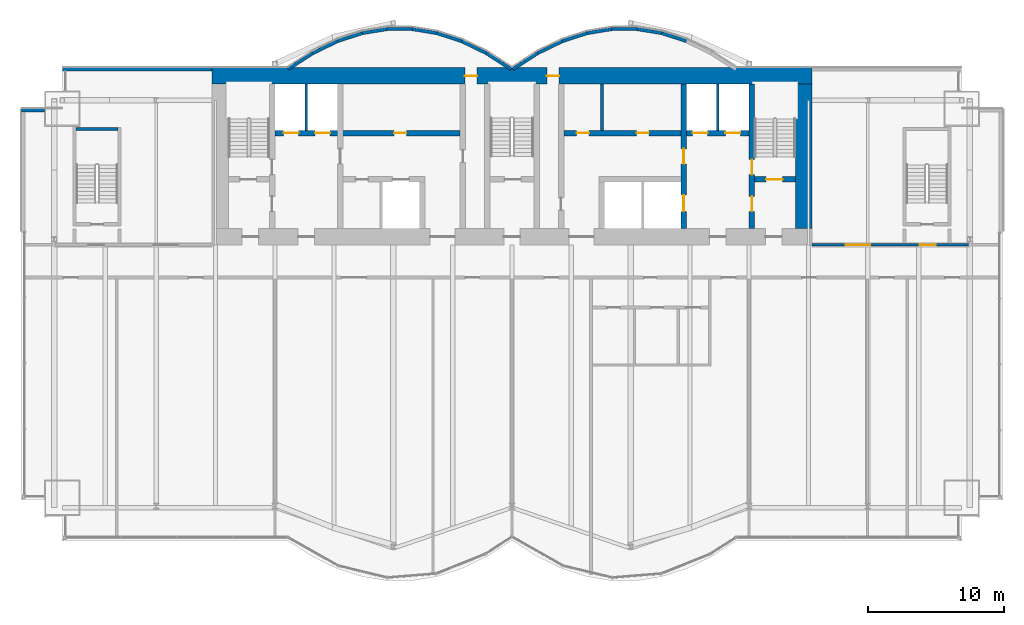
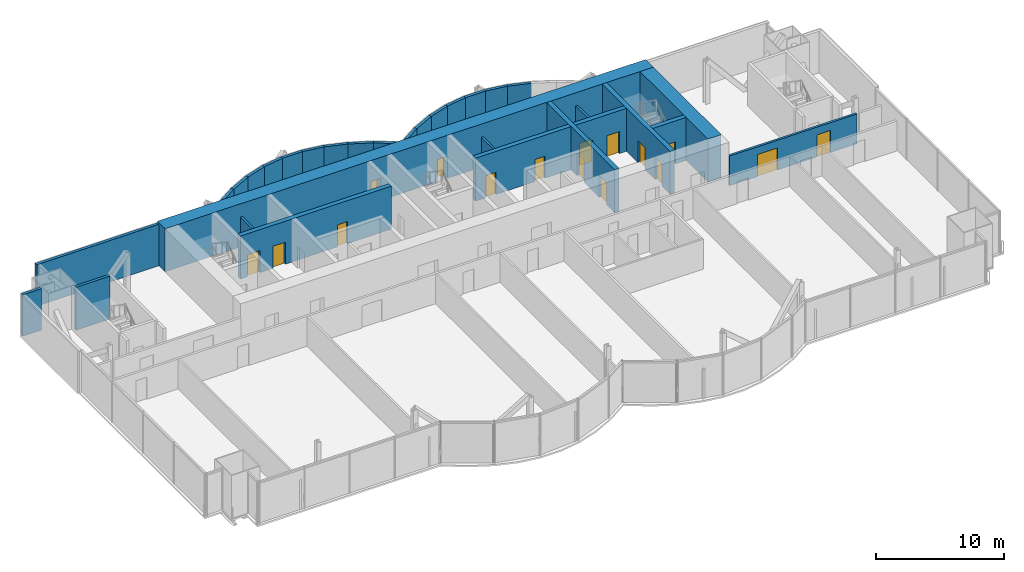
# One storey, part 17 of 21: 30 walls, 16 doors, 16 openings.
"""IFC4 building model written with IfcOpenShell, lengths in metres."""

from ifc_helpers import new_model, si_unit, direction, frame, frame_2d, origin, place, context, subcontext, project, spatial, rectangle, extrude, material, layer, layer_set, layer_usage, type_object, element, fill, save


model = new_model("IFC4")

# Units and contexts
model_context = context("Model", 3, precision=1e-05, world=origin(), true_north=direction((0.0, 1.0)))
body_context = subcontext(model_context, "Body", "Model", "MODEL_VIEW")
ifc_project = project(units=[si_unit("LENGTHUNIT", "METRE"), si_unit("AREAUNIT", "SQUARE_METRE"), si_unit("VOLUMEUNIT", "CUBIC_METRE"), si_unit("PLANEANGLEUNIT", "RADIAN"), si_unit("MASSUNIT", "GRAM", prefix="KILO")], contexts=[model_context])

# Site, building, storey
site_placement = place(None, origin())
site = spatial("IfcSite", under=ifc_project, at=site_placement, CompositionType="ELEMENT")
building_placement = place(site_placement, origin())
building = spatial("IfcBuilding", under=site, at=building_placement, Name="Bicima Exchange Tower", CompositionType="ELEMENT")
storey_placement = place(building_placement, frame((0.0, 0.0, 165.0)))
storey = spatial("IfcBuildingStorey", under=building, at=storey_placement, Name="L36", CompositionType="ELEMENT", Elevation=165.0)

# Walls
ifc_material_1 = material(Name="Gypsum board partition")
ifc_layer_1 = layer(ifc_material_1, 0.199951171875)
ifc_layer_set_1 = layer_set([ifc_layer_1], Name="Gypsum board partition")
wall_type_1 = type_object("IfcWallType", Name="Fire-rated gypsum partition 200 EI120", PredefinedType="PARTITIONING", material=ifc_layer_set_1)
for number, where, z_axis, x_axis, name in (
    (1, (-15.10009765625, -4.60009765625, 0.0), (0.0, 0.0, 1.0), (0.0, 1.0, 0.0), "partition wall 9"),
    (2, (15.10009765625, -4.60009765625, 0.0), (0.0, 0.0, 1.0), (0.0, 1.0, 0.0), "partition wall 21"),
):
    element("IfcWall", number, at=place(storey_placement, frame(where, z_axis=z_axis, x_axis=x_axis)), inside=storey, type_object=wall_type_1, Name=name, PredefinedType="PARTITIONING", context=body_context, shape_type="SweptSolid", body=[
        extrude(rectangle(XDim=3.400146484375, YDim=0.199951171875, at=frame_2d((1.7001953125, 0.0))), origin(), (0.0, 0.0, 1.0), 2.84033203125),
    ])

# Wall, openings, doors
ifc_layer_2 = layer(ifc_material_1, 0.199951171875)
ifc_layer_set_2 = layer_set([ifc_layer_2], Name="Gypsum board partition")
wall_type_2 = type_object("IfcWallType", Name="Fire-rated gypsum partition 200 EI60", PredefinedType="PARTITIONING", material=ifc_layer_set_2)
wall_1_placement = place(storey_placement, frame((22.0, -13.0, 0.0), z_axis=(0.0, 0.0, 1.0), x_axis=(1.0, 0.0, 0.0)))
wall_1 = element("IfcWall", 3, at=wall_1_placement, inside=storey, type_object=wall_type_2, Name="partition wall 6", PredefinedType="PARTITIONING", context=body_context, shape_type="SweptSolid", body=[
    extrude(rectangle(XDim=11.47998046875, YDim=0.199951171875, at=frame_2d((5.739990234375, 0.0))), origin(), (0.0, 0.0, 1.0), 2.84033203125),
])
opening_1_placement = place(wall_1_placement, frame((7.89990234375, 0.0, 0.0)))
opening_1 = element("IfcOpeningElement", 4, at=opening_1_placement, cuts=wall_1, Name="Opening L36-003", PredefinedType="OPENING", context=body_context, shape_type="SweptSolid", body=[
    extrude(rectangle(XDim=1.199951171875, YDim=2.10009765625, at=frame_2d((0.60009765625, 1.050048828125))), frame((0.0, 0.11181640625, 0.0), z_axis=(0.0, -1.0, 0.0), x_axis=(1.0, 0.0, 0.0)), (0.0, 0.0, 1.0), 0.223876953125),
])
opening_2_placement = place(wall_1_placement, frame((2.5, 0.0, 0.0)))
opening_2 = element("IfcOpeningElement", 5, at=opening_2_placement, cuts=wall_1, Name="Opening L36-006", PredefinedType="OPENING", context=body_context, shape_type="SweptSolid", body=[
    extrude(rectangle(XDim=1.800048828125, YDim=2.10009765625, at=frame_2d((0.89990234375, 1.050048828125))), frame((0.0, 0.11181640625, 0.0), z_axis=(0.0, -1.0, 0.0), x_axis=(1.0, 0.0, 0.0)), (0.0, 0.0, 1.0), 0.223876953125),
])
ifc_material_2 = material(Name="Steel fire door leaf", Category="steel")
door_type_1 = type_object("IfcDoorType", Name="Door 1200 swing FD30S", OperationType="SINGLE_SWING_LEFT", PredefinedType="DOOR", material=ifc_material_2)
door_1_placement = place(opening_1_placement, origin())
door_1 = element("IfcDoor", 6, at=door_1_placement, inside=storey, type_object=door_type_1, Name="Door", OperationType="SINGLE_SWING_RIGHT", OverallHeight=2.10009765625, OverallWidth=1.199951171875, PredefinedType="DOOR", context=body_context, shape_type="SweptSolid", body=[
    extrude(rectangle(XDim=1.199951171875, YDim=2.10009765625, at=frame_2d((0.60009765625, 1.050048828125))), frame((0.0, 0.02490234375, 0.0), z_axis=(0.0, -1.0, 0.0), x_axis=(1.0, 0.0, 0.0)), (0.0, 0.0, 1.0), 0.050048828125),
])
fill(opening_1, door_1)
door_type_2 = type_object("IfcDoorType", Name="Door 1800 double swing FD30S", OperationType="DOUBLE_DOOR_SINGLE_SWING", PredefinedType="DOOR", material=ifc_material_2)
door_2_placement = place(opening_2_placement, origin())
door_2 = element("IfcDoor", 7, at=door_2_placement, inside=storey, type_object=door_type_2, Name="Door", OperationType="SINGLE_SWING_LEFT", OverallHeight=2.10009765625, OverallWidth=1.800048828125, PredefinedType="DOOR", context=body_context, shape_type="SweptSolid", body=[
    extrude(rectangle(XDim=1.800048828125, YDim=2.10009765625, at=frame_2d((0.89990234375, 1.050048828125))), frame((0.0, 0.02490234375, 0.0), z_axis=(0.0, -1.0, 0.0), x_axis=(1.0, 0.0, 0.0)), (0.0, 0.0, 1.0), 0.050048828125),
])
fill(opening_2, door_2)

# Wall
wall_2_placement = place(storey_placement, frame((6.60009765625, -4.60009765625, 0.0), z_axis=(0.0, 0.0, 1.0), x_axis=(0.0, 1.0, 0.0)))
element("IfcWall", 8, at=wall_2_placement, inside=storey, type_object=wall_type_2, Name="partition wall 18", PredefinedType="PARTITIONING", context=body_context, shape_type="SweptSolid", body=[
    extrude(rectangle(XDim=3.400146484375, YDim=0.199951171875, at=frame_2d((1.7001953125, 0.0))), origin(), (0.0, 0.0, 1.0), 2.84033203125),
])

# Wall, openings, doors
ifc_material_3 = material(Name="Concrete C50/60", Category="concrete")
ifc_layer_3 = layer(ifc_material_3, 1.199951171875)
ifc_layer_set_3 = layer_set([ifc_layer_3], Name="Concrete C50/60")
wall_type_3 = type_object("IfcWallType", Name="RC core wall 1200 C50/60", PredefinedType="SHEAR", material=ifc_layer_set_3)
wall_3_placement = place(storey_placement, frame((-22.0, -0.60009765625, 0.0), z_axis=(0.0, 0.0, 1.0), x_axis=(1.0, 0.0, 0.0)))
wall_3 = element("IfcWall", 9, at=wall_3_placement, inside=storey, type_object=wall_type_3, Name="Core wall north", PredefinedType="SHEAR", context=body_context, shape_type="SweptSolid", body=[
    extrude(rectangle(XDim=44.0, YDim=1.199951171875, at=frame_2d((22.0, 0.0))), origin(), (0.0, 0.0, 1.0), 4.10009765625),
])
opening_3_placement = place(wall_3_placement, frame((18.550048828125, 0.0, 0.0)))
opening_3 = element("IfcOpeningElement", 10, at=opening_3_placement, cuts=wall_3, Name="Opening L36-C16", PredefinedType="OPENING", context=body_context, shape_type="SweptSolid", body=[
    extrude(rectangle(XDim=0.89990234375, YDim=2.10009765625, at=frame_2d((0.449951171875, 1.050048828125))), frame((0.0, 0.61181640625, 0.0), z_axis=(0.0, -1.0, 0.0), x_axis=(1.0, 0.0, 0.0)), (0.0, 0.0, 1.0), 1.223876953125),
])
opening_4_placement = place(wall_3_placement, frame((24.550048828125, 0.0, 0.0)))
opening_4 = element("IfcOpeningElement", 11, at=opening_4_placement, cuts=wall_3, Name="Opening L36-C17", PredefinedType="OPENING", context=body_context, shape_type="SweptSolid", body=[
    extrude(rectangle(XDim=0.89990234375, YDim=2.10009765625, at=frame_2d((0.449951171875, 1.050048828125))), frame((0.0, 0.61181640625, 0.0), z_axis=(0.0, -1.0, 0.0), x_axis=(1.0, 0.0, 0.0)), (0.0, 0.0, 1.0), 1.223876953125),
])
door_type_3 = type_object("IfcDoorType", Name="Door 900 swing FD30S", OperationType="SINGLE_SWING_LEFT", PredefinedType="DOOR", material=ifc_material_2)
door_3_placement = place(opening_3_placement, origin())
door_3 = element("IfcDoor", 12, at=door_3_placement, inside=storey, type_object=door_type_3, Name="Core door", OperationType="SINGLE_SWING_LEFT", OverallHeight=2.10009765625, OverallWidth=0.89990234375, PredefinedType="DOOR", context=body_context, shape_type="SweptSolid", body=[
    extrude(rectangle(XDim=0.89990234375, YDim=2.10009765625, at=frame_2d((0.449951171875, 1.050048828125))), frame((0.0, 0.02490234375, 0.0), z_axis=(0.0, -1.0, 0.0), x_axis=(1.0, 0.0, 0.0)), (0.0, 0.0, 1.0), 0.050048828125),
])
fill(opening_3, door_3)
door_4_placement = place(opening_4_placement, origin())
door_4 = element("IfcDoor", 13, at=door_4_placement, inside=storey, type_object=door_type_3, Name="Core door", OperationType="SINGLE_SWING_LEFT", OverallHeight=2.10009765625, OverallWidth=0.89990234375, PredefinedType="DOOR", context=body_context, shape_type="SweptSolid", body=[
    extrude(rectangle(XDim=0.89990234375, YDim=2.10009765625, at=frame_2d((0.449951171875, 1.050048828125))), frame((0.0, 0.02490234375, 0.0), z_axis=(0.0, -1.0, 0.0), x_axis=(1.0, 0.0, 0.0)), (0.0, 0.0, 1.0), 0.050048828125),
])
fill(opening_4, door_4)

# Wall
wall_4_placement = place(storey_placement, frame((21.39990234375, -11.800048828125, 0.0), z_axis=(0.0, 0.0, 1.0), x_axis=(0.0, 1.0, 0.0)))
element("IfcWall", 14, at=wall_4_placement, inside=storey, type_object=wall_type_3, Name="Core wall east", PredefinedType="SHEAR", context=body_context, shape_type="SweptSolid", body=[
    extrude(rectangle(XDim=10.60009765625, YDim=1.199951171875, at=frame_2d((5.300048828125, 0.0))), origin(), (0.0, 0.0, 1.0), 4.10009765625),
])

# Wall, opening, door
ifc_layer_4 = layer(ifc_material_3, 0.39990234375)
ifc_layer_set_4 = layer_set([ifc_layer_4], Name="Concrete C50/60")
wall_type_4 = type_object("IfcWallType", Name="RC core wall 400 C50/60", PredefinedType="SHEAR", material=ifc_layer_set_4)
wall_5_placement = place(storey_placement, frame((17.800048828125, -8.199951171875, 0.0), z_axis=(0.0, 0.0, 1.0), x_axis=(1.0, 0.0, 0.0)))
wall_5 = element("IfcWall", 15, at=wall_5_placement, inside=storey, type_object=wall_type_4, Name="stair wall 5", PredefinedType="SHEAR", context=body_context, shape_type="SweptSolid", body=[
    extrude(rectangle(XDim=3.0, YDim=0.39990234375, at=frame_2d((1.5, 0.0))), origin(), (0.0, 0.0, 1.0), 4.10009765625),
])
opening_5_placement = place(wall_5_placement, frame((0.85009765625, 0.0, 0.0)))
opening_5 = element("IfcOpeningElement", 16, at=opening_5_placement, cuts=wall_5, Name="Opening L36-C04", PredefinedType="OPENING", context=body_context, shape_type="SweptSolid", body=[
    extrude(rectangle(XDim=1.199951171875, YDim=2.10009765625, at=frame_2d((0.60009765625, 1.050048828125))), frame((0.0, 0.2119140625, 0.0), z_axis=(0.0, -1.0, 0.0), x_axis=(1.0, 0.0, 0.0)), (0.0, 0.0, 1.0), 0.423828125),
])
door_type_4 = type_object("IfcDoorType", Name="Door 1200 swing FD60S", OperationType="SINGLE_SWING_LEFT", PredefinedType="DOOR", material=ifc_material_2)
door_5_placement = place(opening_5_placement, origin())
door_5 = element("IfcDoor", 17, at=door_5_placement, inside=storey, type_object=door_type_4, Name="Core door", OperationType="SINGLE_SWING_RIGHT", OverallHeight=2.10009765625, OverallWidth=1.199951171875, PredefinedType="DOOR", context=body_context, shape_type="SweptSolid", body=[
    extrude(rectangle(XDim=1.199951171875, YDim=2.10009765625, at=frame_2d((0.60009765625, 1.050048828125))), frame((0.0, 0.02490234375, 0.0), z_axis=(0.0, -1.0, 0.0), x_axis=(1.0, 0.0, 0.0)), (0.0, 0.0, 1.0), 0.050048828125),
])
fill(opening_5, door_5)

# Wall, openings, doors
wall_6_placement = place(storey_placement, frame((-17.39990234375, -4.800048828125, 0.0), z_axis=(0.0, 0.0, 1.0), x_axis=(1.0, 0.0, 0.0)))
wall_6 = element("IfcWall", 18, at=wall_6_placement, inside=storey, type_object=wall_type_4, Name="shear wall 6", PredefinedType="SHEAR", context=body_context, shape_type="SweptSolid", body=[
    extrude(rectangle(XDim=13.599853515625, YDim=0.39990234375, at=frame_2d((6.7998046875, 0.0))), origin(), (0.0, 0.0, 1.0), 4.10009765625),
])
opening_6_placement = place(wall_6_placement, frame((0.64990234375, 0.0, 0.0)))
opening_6 = element("IfcOpeningElement", 19, at=opening_6_placement, cuts=wall_6, Name="Opening LD-FF1-L36", PredefinedType="OPENING", context=body_context, shape_type="SweptSolid", body=[
    extrude(rectangle(XDim=1.10009765625, YDim=2.10009765625, at=frame_2d((0.550048828125, 1.050048828125))), frame((0.0, 0.2119140625, 0.0), z_axis=(0.0, -1.0, 0.0), x_axis=(1.0, 0.0, 0.0)), (0.0, 0.0, 1.0), 0.423828125),
])
opening_7_placement = place(wall_6_placement, frame((2.949951171875, 0.0, 0.0)))
opening_7 = element("IfcOpeningElement", 20, at=opening_7_placement, cuts=wall_6, Name="Opening LD-FF3-L36", PredefinedType="OPENING", context=body_context, shape_type="SweptSolid", body=[
    extrude(rectangle(XDim=1.10009765625, YDim=2.10009765625, at=frame_2d((0.550048828125, 1.050048828125))), frame((0.0, 0.2119140625, 0.0), z_axis=(0.0, -1.0, 0.0), x_axis=(1.0, 0.0, 0.0)), (0.0, 0.0, 1.0), 0.423828125),
])
opening_8_placement = place(wall_6_placement, frame((8.75, 0.0, 0.0)))
opening_8 = element("IfcOpeningElement", 21, at=opening_8_placement, cuts=wall_6, Name="Opening L36-C12", PredefinedType="OPENING", context=body_context, shape_type="SweptSolid", body=[
    extrude(rectangle(XDim=0.89990234375, YDim=2.10009765625, at=frame_2d((0.449951171875, 1.050048828125))), frame((0.0, 0.2119140625, 0.0), z_axis=(0.0, -1.0, 0.0), x_axis=(1.0, 0.0, 0.0)), (0.0, 0.0, 1.0), 0.423828125),
])
door_6_placement = place(opening_8_placement, origin())
door_6 = element("IfcDoor", 22, at=door_6_placement, inside=storey, type_object=door_type_3, Name="Core door", OperationType="SINGLE_SWING_RIGHT", OverallHeight=2.10009765625, OverallWidth=0.89990234375, PredefinedType="DOOR", context=body_context, shape_type="SweptSolid", body=[
    extrude(rectangle(XDim=0.89990234375, YDim=2.10009765625, at=frame_2d((0.449951171875, 1.050048828125))), frame((0.0, 0.02490234375, 0.0), z_axis=(0.0, -1.0, 0.0), x_axis=(1.0, 0.0, 0.0)), (0.0, 0.0, 1.0), 0.050048828125),
])
fill(opening_8, door_6)
ifc_material_4 = material(Name="Stainless steel", Category="steel")
door_type_5 = type_object("IfcDoorType", Name="Lift landing door 1100 sliding", OperationType="DOUBLE_DOOR_SLIDING", PredefinedType="DOOR", material=ifc_material_4)
door_7_placement = place(opening_6_placement, origin())
door_7 = element("IfcDoor", 23, at=door_7_placement, inside=storey, type_object=door_type_5, Name="Lift landing door FF1", OperationType="DOUBLE_DOOR_SLIDING", OverallHeight=2.10009765625, OverallWidth=1.10009765625, PredefinedType="DOOR", context=body_context, shape_type="SweptSolid", body=[
    extrude(rectangle(XDim=1.10009765625, YDim=2.10009765625, at=frame_2d((0.550048828125, 1.050048828125))), frame((0.0, 0.02490234375, 0.0), z_axis=(0.0, -1.0, 0.0), x_axis=(1.0, 0.0, 0.0)), (0.0, 0.0, 1.0), 0.050048828125),
])
fill(opening_6, door_7)
door_8_placement = place(opening_7_placement, origin())
door_8 = element("IfcDoor", 24, at=door_8_placement, inside=storey, type_object=door_type_5, Name="Lift landing door FF3", OperationType="DOUBLE_DOOR_SLIDING", OverallHeight=2.10009765625, OverallWidth=1.10009765625, PredefinedType="DOOR", context=body_context, shape_type="SweptSolid", body=[
    extrude(rectangle(XDim=1.10009765625, YDim=2.10009765625, at=frame_2d((0.550048828125, 1.050048828125))), frame((0.0, 0.02490234375, 0.0), z_axis=(0.0, -1.0, 0.0), x_axis=(1.0, 0.0, 0.0)), (0.0, 0.0, 1.0), 0.050048828125),
])
fill(opening_7, door_8)

wall_7_placement = place(storey_placement, frame((3.800048828125, -4.800048828125, 0.0), z_axis=(0.0, 0.0, 1.0), x_axis=(1.0, 0.0, 0.0)))
wall_7 = element("IfcWall", 25, at=wall_7_placement, inside=storey, type_object=wall_type_4, Name="shear wall 7", PredefinedType="SHEAR", context=body_context, shape_type="SweptSolid", body=[
    extrude(rectangle(XDim=13.599853515625, YDim=0.39990234375, at=frame_2d((6.7998046875, 0.0))), origin(), (0.0, 0.0, 1.0), 4.10009765625),
])
opening_9_placement = place(wall_7_placement, frame((9.449951171875, 0.0, 0.0)))
opening_9 = element("IfcOpeningElement", 26, at=opening_9_placement, cuts=wall_7, Name="Opening LD-FF2-L36", PredefinedType="OPENING", context=body_context, shape_type="SweptSolid", body=[
    extrude(rectangle(XDim=1.10009765625, YDim=2.10009765625, at=frame_2d((0.550048828125, 1.050048828125))), frame((0.0, 0.2119140625, 0.0), z_axis=(0.0, -1.0, 0.0), x_axis=(1.0, 0.0, 0.0)), (0.0, 0.0, 1.0), 0.423828125),
])
opening_10_placement = place(wall_7_placement, frame((11.85009765625, 0.0, 0.0)))
opening_10 = element("IfcOpeningElement", 27, at=opening_10_placement, cuts=wall_7, Name="Opening LD-SV1-L36", PredefinedType="OPENING", context=body_context, shape_type="SweptSolid", body=[
    extrude(rectangle(XDim=1.10009765625, YDim=2.10009765625, at=frame_2d((0.550048828125, 1.050048828125))), frame((0.0, 0.2119140625, 0.0), z_axis=(0.0, -1.0, 0.0), x_axis=(1.0, 0.0, 0.0)), (0.0, 0.0, 1.0), 0.423828125),
])
opening_11_placement = place(wall_7_placement, frame((0.949951171875, 0.0, 0.0)))
opening_11 = element("IfcOpeningElement", 28, at=opening_11_placement, cuts=wall_7, Name="Opening L36-C13", PredefinedType="OPENING", context=body_context, shape_type="SweptSolid", body=[
    extrude(rectangle(XDim=0.89990234375, YDim=2.10009765625, at=frame_2d((0.449951171875, 1.050048828125))), frame((0.0, 0.2119140625, 0.0), z_axis=(0.0, -1.0, 0.0), x_axis=(1.0, 0.0, 0.0)), (0.0, 0.0, 1.0), 0.423828125),
])
opening_12_placement = place(wall_7_placement, frame((5.35009765625, 0.0, 0.0)))
opening_12 = element("IfcOpeningElement", 29, at=opening_12_placement, cuts=wall_7, Name="Opening L36-C14", PredefinedType="OPENING", context=body_context, shape_type="SweptSolid", body=[
    extrude(rectangle(XDim=0.89990234375, YDim=2.10009765625, at=frame_2d((0.449951171875, 1.050048828125))), frame((0.0, 0.2119140625, 0.0), z_axis=(0.0, -1.0, 0.0), x_axis=(1.0, 0.0, 0.0)), (0.0, 0.0, 1.0), 0.423828125),
])
door_9_placement = place(opening_11_placement, origin())
door_9 = element("IfcDoor", 30, at=door_9_placement, inside=storey, type_object=door_type_3, Name="Core door", OperationType="SINGLE_SWING_LEFT", OverallHeight=2.10009765625, OverallWidth=0.89990234375, PredefinedType="DOOR", context=body_context, shape_type="SweptSolid", body=[
    extrude(rectangle(XDim=0.89990234375, YDim=2.10009765625, at=frame_2d((0.449951171875, 1.050048828125))), frame((0.0, 0.02490234375, 0.0), z_axis=(0.0, -1.0, 0.0), x_axis=(1.0, 0.0, 0.0)), (0.0, 0.0, 1.0), 0.050048828125),
])
fill(opening_11, door_9)
door_10_placement = place(opening_12_placement, origin())
door_10 = element("IfcDoor", 31, at=door_10_placement, inside=storey, type_object=door_type_3, Name="Core door", OperationType="SINGLE_SWING_RIGHT", OverallHeight=2.10009765625, OverallWidth=0.89990234375, PredefinedType="DOOR", context=body_context, shape_type="SweptSolid", body=[
    extrude(rectangle(XDim=0.89990234375, YDim=2.10009765625, at=frame_2d((0.449951171875, 1.050048828125))), frame((0.0, 0.02490234375, 0.0), z_axis=(0.0, -1.0, 0.0), x_axis=(1.0, 0.0, 0.0)), (0.0, 0.0, 1.0), 0.050048828125),
])
fill(opening_12, door_10)
door_11_placement = place(opening_9_placement, origin())
door_11 = element("IfcDoor", 32, at=door_11_placement, inside=storey, type_object=door_type_5, Name="Lift landing door FF2", OperationType="DOUBLE_DOOR_SLIDING", OverallHeight=2.10009765625, OverallWidth=1.10009765625, PredefinedType="DOOR", context=body_context, shape_type="SweptSolid", body=[
    extrude(rectangle(XDim=1.10009765625, YDim=2.10009765625, at=frame_2d((0.550048828125, 1.050048828125))), frame((0.0, 0.02490234375, 0.0), z_axis=(0.0, -1.0, 0.0), x_axis=(1.0, 0.0, 0.0)), (0.0, 0.0, 1.0), 0.050048828125),
])
fill(opening_9, door_11)
door_12_placement = place(opening_10_placement, origin())
door_12 = element("IfcDoor", 33, at=door_12_placement, inside=storey, type_object=door_type_5, Name="Lift landing door SV1", OperationType="DOUBLE_DOOR_SLIDING", OverallHeight=2.10009765625, OverallWidth=1.10009765625, PredefinedType="DOOR", context=body_context, shape_type="SweptSolid", body=[
    extrude(rectangle(XDim=1.10009765625, YDim=2.10009765625, at=frame_2d((0.550048828125, 1.050048828125))), frame((0.0, 0.02490234375, 0.0), z_axis=(0.0, -1.0, 0.0), x_axis=(1.0, 0.0, 0.0)), (0.0, 0.0, 1.0), 0.050048828125),
])
fill(opening_10, door_12)

wall_8_placement = place(storey_placement, frame((12.60009765625, -11.800048828125, 0.0), z_axis=(0.0, 0.0, 1.0), x_axis=(0.0, 1.0, 0.0)))
wall_8 = element("IfcWall", 34, at=wall_8_placement, inside=storey, type_object=wall_type_4, Name="shear wall 20", PredefinedType="SHEAR", context=body_context, shape_type="SweptSolid", body=[
    extrude(rectangle(XDim=10.60009765625, YDim=0.39990234375, at=frame_2d((5.300048828125, 0.0))), origin(), (0.0, 0.0, 1.0), 4.10009765625),
])
opening_13_placement = place(wall_8_placement, frame((1.25, 0.0, 0.0)))
opening_13 = element("IfcOpeningElement", 35, at=opening_13_placement, cuts=wall_8, Name="Opening LD-MB2-L36", PredefinedType="OPENING", context=body_context, shape_type="SweptSolid", body=[
    extrude(rectangle(XDim=1.199951171875, YDim=2.10009765625, at=frame_2d((0.60009765625, 1.050048828125))), frame((0.0, 0.2119140625, 0.0), z_axis=(0.0, -1.0, 0.0), x_axis=(1.0, 0.0, 0.0)), (0.0, 0.0, 1.0), 0.423828125),
])
opening_14_placement = place(wall_8_placement, frame((4.75, 0.0, 0.0)))
opening_14 = element("IfcOpeningElement", 36, at=opening_14_placement, cuts=wall_8, Name="Opening L36-C09", PredefinedType="OPENING", context=body_context, shape_type="SweptSolid", body=[
    extrude(rectangle(XDim=1.10009765625, YDim=2.10009765625, at=frame_2d((0.550048828125, 1.050048828125))), frame((0.0, 0.2119140625, 0.0), z_axis=(0.0, -1.0, 0.0), x_axis=(1.0, 0.0, 0.0)), (0.0, 0.0, 1.0), 0.423828125),
])
door_type_6 = type_object("IfcDoorType", Name="Door 1100 swing FD60S", OperationType="SINGLE_SWING_LEFT", PredefinedType="DOOR", material=ifc_material_2)
door_13_placement = place(opening_14_placement, frame((1.10009765625, 0.0, 0.0), z_axis=(0.0, 0.0, 1.0), x_axis=(-1.0, 0.0, 0.0)))
door_13 = element("IfcDoor", 37, at=door_13_placement, inside=storey, type_object=door_type_6, Name="Core door", OperationType="SINGLE_SWING_RIGHT", OverallHeight=2.10009765625, OverallWidth=1.10009765625, PredefinedType="DOOR", context=body_context, shape_type="SweptSolid", body=[
    extrude(rectangle(XDim=1.10009765625, YDim=2.10009765625, at=frame_2d((0.550048828125, 1.050048828125))), frame((0.0, 0.02490234375, 0.0), z_axis=(0.0, -1.0, 0.0), x_axis=(1.0, 0.0, 0.0)), (0.0, 0.0, 1.0), 0.050048828125),
])
fill(opening_14, door_13)
door_type_7 = type_object("IfcDoorType", Name="Lift landing door 1200 sliding", OperationType="DOUBLE_DOOR_SLIDING", PredefinedType="DOOR", material=ifc_material_4)
door_14_placement = place(opening_13_placement, origin())
door_14 = element("IfcDoor", 38, at=door_14_placement, inside=storey, type_object=door_type_7, Name="Lift landing door MB2", OperationType="DOUBLE_DOOR_SLIDING", OverallHeight=2.10009765625, OverallWidth=1.199951171875, PredefinedType="DOOR", context=body_context, shape_type="SweptSolid", body=[
    extrude(rectangle(XDim=1.199951171875, YDim=2.10009765625, at=frame_2d((0.60009765625, 1.050048828125))), frame((0.0, 0.02490234375, 0.0), z_axis=(0.0, -1.0, 0.0), x_axis=(1.0, 0.0, 0.0)), (0.0, 0.0, 1.0), 0.050048828125),
])
fill(opening_13, door_14)

wall_9_placement = place(storey_placement, frame((17.60009765625, -11.800048828125, 0.0), z_axis=(0.0, 0.0, 1.0), x_axis=(0.0, 1.0, 0.0)))
wall_9 = element("IfcWall", 39, at=wall_9_placement, inside=storey, type_object=wall_type_4, Name="stair wall 22", PredefinedType="SHEAR", context=body_context, shape_type="SweptSolid", body=[
    extrude(rectangle(XDim=10.60009765625, YDim=0.39990234375, at=frame_2d((5.300048828125, 0.0))), origin(), (0.0, 0.0, 1.0), 4.10009765625),
])
opening_15_placement = place(wall_9_placement, frame((1.25, 0.0, 0.0)))
opening_15 = element("IfcOpeningElement", 40, at=opening_15_placement, cuts=wall_9, Name="Opening L36-C05", PredefinedType="OPENING", context=body_context, shape_type="SweptSolid", body=[
    extrude(rectangle(XDim=1.10009765625, YDim=2.10009765625, at=frame_2d((0.550048828125, 1.050048828125))), frame((0.0, 0.2119140625, 0.0), z_axis=(0.0, -1.0, 0.0), x_axis=(1.0, 0.0, 0.0)), (0.0, 0.0, 1.0), 0.423828125),
])
opening_16_placement = place(wall_9_placement, frame((3.949951171875, 0.0, 0.0)))
opening_16 = element("IfcOpeningElement", 41, at=opening_16_placement, cuts=wall_9, Name="Opening L36-C08", PredefinedType="OPENING", context=body_context, shape_type="SweptSolid", body=[
    extrude(rectangle(XDim=1.10009765625, YDim=2.10009765625, at=frame_2d((0.550048828125, 1.050048828125))), frame((0.0, 0.2119140625, 0.0), z_axis=(0.0, -1.0, 0.0), x_axis=(1.0, 0.0, 0.0)), (0.0, 0.0, 1.0), 0.423828125),
])
door_15_placement = place(opening_15_placement, origin())
door_15 = element("IfcDoor", 42, at=door_15_placement, inside=storey, type_object=door_type_6, Name="Core door", OperationType="SINGLE_SWING_LEFT", OverallHeight=2.10009765625, OverallWidth=1.10009765625, PredefinedType="DOOR", context=body_context, shape_type="SweptSolid", body=[
    extrude(rectangle(XDim=1.10009765625, YDim=2.10009765625, at=frame_2d((0.550048828125, 1.050048828125))), frame((0.0, 0.02490234375, 0.0), z_axis=(0.0, -1.0, 0.0), x_axis=(1.0, 0.0, 0.0)), (0.0, 0.0, 1.0), 0.050048828125),
])
fill(opening_15, door_15)
door_16_placement = place(opening_16_placement, origin())
door_16 = element("IfcDoor", 43, at=door_16_placement, inside=storey, type_object=door_type_6, Name="Core door", OperationType="SINGLE_SWING_RIGHT", OverallHeight=2.10009765625, OverallWidth=1.10009765625, PredefinedType="DOOR", context=body_context, shape_type="SweptSolid", body=[
    extrude(rectangle(XDim=1.10009765625, YDim=2.10009765625, at=frame_2d((0.550048828125, 1.050048828125))), frame((0.0, 0.02490234375, 0.0), z_axis=(0.0, -1.0, 0.0), x_axis=(1.0, 0.0, 0.0)), (0.0, 0.0, 1.0), 0.050048828125),
])
fill(opening_16, door_16)

# Walls
ifc_layer_5 = layer(ifc_material_3, 0.25)
ifc_layer_set_5 = layer_set([ifc_layer_5], Name="Concrete C50/60")
wall_type_5 = type_object("IfcWallType", Name="RC stair enclosure wall 250 C50/60", PredefinedType="SHEAR", material=ifc_layer_set_5)
wall_10_placement = place(storey_placement, frame((-31.97509765625, -4.5, 0.0), z_axis=(0.0, 0.0, 1.0), x_axis=(1.0, 0.0, 0.0)))
element("IfcWall", 44, at=wall_10_placement, inside=storey, type_object=wall_type_5, Name="West end exit stair wall N", PredefinedType="SHEAR", context=body_context, shape_type="SweptSolid", body=[
    extrude(rectangle(XDim=3.050048828125, YDim=0.25, at=frame_2d((1.52490234375, 0.0))), origin(), (0.0, 0.0, 1.0), 4.10009765625),
])
ifc_material_5 = material(Name="Concrete C40/50", Category="concrete")
ifc_layer_6 = layer(ifc_material_5, 0.25)
ifc_layer_set_6 = layer_set([ifc_layer_6], Name="Concrete C40/50")
ifc_layer_usage = layer_usage(ifc_layer_set_6, "AXIS2", "POSITIVE", -0.125)
wall_type_6 = type_object("IfcWallType", Name="Rear backup wall 250", PredefinedType="STANDARD", material=ifc_layer_set_6)
wall_11_placement = place(storey_placement, frame((12.794921875, 1.955078125, 0.0), z_axis=(0.0, 0.0, 1.0), x_axis=(-0.951495806175, 0.307661714928, 0.0)))
element("IfcWall", 45, at=wall_11_placement, inside=storey, type_object=wall_type_6, material=ifc_layer_usage, Name="Rear backup wall L36 4", PredefinedType="STANDARD", context=body_context, shape_type="SweptSolid", body=[
    extrude(rectangle(XDim=1.9267578125, YDim=0.25, at=frame_2d((0.96337890625, 0.0))), origin(), (0.0, 0.0, 1.0), 3.949951171875),
])
wall_12_placement = place(storey_placement, frame((10.97998046875, 2.543212890625, 0.0), z_axis=(0.0, 0.0, 1.0), x_axis=(-0.987181718931, 0.159600293885, 0.0)))
element("IfcWall", 46, at=wall_12_placement, inside=storey, type_object=wall_type_6, material=ifc_layer_usage, Name="Rear backup wall L36 5", PredefinedType="STANDARD", context=body_context, shape_type="SweptSolid", body=[
    extrude(rectangle(XDim=1.857177734375, YDim=0.25, at=frame_2d((0.9287109375, 0.0))), origin(), (0.0, 0.0, 1.0), 3.949951171875),
])
wall_13_placement = place(storey_placement, frame((9.166748046875, 2.837890625, 0.0), z_axis=(0.0, 0.0, 1.0), x_axis=(-1.0, 0.0, 0.0)))
element("IfcWall", 47, at=wall_13_placement, inside=storey, type_object=wall_type_6, material=ifc_layer_usage, Name="Rear backup wall L36 6", PredefinedType="STANDARD", context=body_context, shape_type="SweptSolid", body=[
    extrude(rectangle(XDim=1.83349609375, YDim=0.25, at=frame_2d((0.916748046875, 0.0))), origin(), (0.0, 0.0, 1.0), 3.949951171875),
])
wall_14_placement = place(storey_placement, frame((7.353271484375, 2.839599609375, 0.0), z_axis=(0.0, 0.0, 1.0), x_axis=(-0.987181718931, -0.159600293885, 0.0)))
element("IfcWall", 48, at=wall_14_placement, inside=storey, type_object=wall_type_6, material=ifc_layer_usage, Name="Rear backup wall L36 7", PredefinedType="STANDARD", context=body_context, shape_type="SweptSolid", body=[
    extrude(rectangle(XDim=1.857177734375, YDim=0.25, at=frame_2d((0.9287109375, 0.0))), origin(), (0.0, 0.0, 1.0), 3.949951171875),
])
wall_15_placement = place(storey_placement, frame((5.538330078125, 2.5478515625, 0.0), z_axis=(0.0, 0.0, 1.0), x_axis=(-0.951495806175, -0.307661714928, 0.0)))
element("IfcWall", 49, at=wall_15_placement, inside=storey, type_object=wall_type_6, material=ifc_layer_usage, Name="Rear backup wall L36 8", PredefinedType="STANDARD", context=body_context, shape_type="SweptSolid", body=[
    extrude(rectangle(XDim=1.9267578125, YDim=0.25, at=frame_2d((0.96337890625, 0.0))), origin(), (0.0, 0.0, 1.0), 3.949951171875),
])
wall_16_placement = place(storey_placement, frame((3.72119140625, 1.961669921875, 0.0), z_axis=(0.0, 0.0, 1.0), x_axis=(-0.89982408427, -0.436252928206, 0.0)))
element("IfcWall", 50, at=wall_16_placement, inside=storey, type_object=wall_type_6, material=ifc_layer_usage, Name="Rear backup wall L36 9", PredefinedType="STANDARD", context=body_context, shape_type="SweptSolid", body=[
    extrude(rectangle(XDim=2.03759765625, YDim=0.25, at=frame_2d((1.018798828125, 0.0))), origin(), (0.0, 0.0, 1.0), 3.949951171875),
])
for number, where, z_axis, x_axis, name in (
    (51, (1.901123046875, 1.080078125, 0.0), (0.0, 0.0, 1.0), (-0.83981312244, -0.542875602121, 0.0), "Rear backup wall L36 10"),
    (52, (-0.06787109375, -0.10498046875, 0.0), (0.0, 0.0, 1.0), (-0.83981312244, 0.542875602121, 0.0), "Rear backup wall L36 11"),
):
    element("IfcWall", number, at=place(storey_placement, frame(where, z_axis=z_axis, x_axis=x_axis)), inside=storey, type_object=wall_type_6, material=ifc_layer_usage, Name=name, PredefinedType="STANDARD", context=body_context, shape_type="SweptSolid", body=[
        extrude(rectangle(XDim=2.182861328125, YDim=0.25, at=frame_2d((1.09130859375, 0.0))), origin(), (0.0, 0.0, 1.0), 3.949951171875),
    ])
wall_17_placement = place(storey_placement, frame((-1.8876953125, 1.07275390625, 0.0), z_axis=(0.0, 0.0, 1.0), x_axis=(-0.89982408427, 0.436252928206, 0.0)))
element("IfcWall", 53, at=wall_17_placement, inside=storey, type_object=wall_type_6, material=ifc_layer_usage, Name="Rear backup wall L36 12", PredefinedType="STANDARD", context=body_context, shape_type="SweptSolid", body=[
    extrude(rectangle(XDim=2.03759765625, YDim=0.25, at=frame_2d((1.018798828125, 0.0))), origin(), (0.0, 0.0, 1.0), 3.949951171875),
])
wall_18_placement = place(storey_placement, frame((-3.705078125, 1.955078125, 0.0), z_axis=(0.0, 0.0, 1.0), x_axis=(-0.951495806175, 0.307661714928, 0.0)))
element("IfcWall", 54, at=wall_18_placement, inside=storey, type_object=wall_type_6, material=ifc_layer_usage, Name="Rear backup wall L36 13", PredefinedType="STANDARD", context=body_context, shape_type="SweptSolid", body=[
    extrude(rectangle(XDim=1.9267578125, YDim=0.25, at=frame_2d((0.96337890625, 0.0))), origin(), (0.0, 0.0, 1.0), 3.949951171875),
])
wall_19_placement = place(storey_placement, frame((-5.52001953125, 2.543212890625, 0.0), z_axis=(0.0, 0.0, 1.0), x_axis=(-0.987181718931, 0.159600293885, 0.0)))
element("IfcWall", 55, at=wall_19_placement, inside=storey, type_object=wall_type_6, material=ifc_layer_usage, Name="Rear backup wall L36 14", PredefinedType="STANDARD", context=body_context, shape_type="SweptSolid", body=[
    extrude(rectangle(XDim=1.857177734375, YDim=0.25, at=frame_2d((0.9287109375, 0.0))), origin(), (0.0, 0.0, 1.0), 3.949951171875),
])
wall_20_placement = place(storey_placement, frame((-7.333251953125, 2.837890625, 0.0), z_axis=(0.0, 0.0, 1.0), x_axis=(-1.0, 0.0, 0.0)))
element("IfcWall", 56, at=wall_20_placement, inside=storey, type_object=wall_type_6, material=ifc_layer_usage, Name="Rear backup wall L36 15", PredefinedType="STANDARD", context=body_context, shape_type="SweptSolid", body=[
    extrude(rectangle(XDim=1.83349609375, YDim=0.25, at=frame_2d((0.916748046875, 0.0))), origin(), (0.0, 0.0, 1.0), 3.949951171875),
])
wall_21_placement = place(storey_placement, frame((-9.146728515625, 2.839599609375, 0.0), z_axis=(0.0, 0.0, 1.0), x_axis=(-0.987181718931, -0.159600293885, 0.0)))
element("IfcWall", 57, at=wall_21_placement, inside=storey, type_object=wall_type_6, material=ifc_layer_usage, Name="Rear backup wall L36 16", PredefinedType="STANDARD", context=body_context, shape_type="SweptSolid", body=[
    extrude(rectangle(XDim=1.857177734375, YDim=0.25, at=frame_2d((0.9287109375, 0.0))), origin(), (0.0, 0.0, 1.0), 3.949951171875),
])
wall_22_placement = place(storey_placement, frame((-10.961669921875, 2.5478515625, 0.0), z_axis=(0.0, 0.0, 1.0), x_axis=(-0.951495806175, -0.307661714928, 0.0)))
element("IfcWall", 58, at=wall_22_placement, inside=storey, type_object=wall_type_6, material=ifc_layer_usage, Name="Rear backup wall L36 17", PredefinedType="STANDARD", context=body_context, shape_type="SweptSolid", body=[
    extrude(rectangle(XDim=1.9267578125, YDim=0.25, at=frame_2d((0.96337890625, 0.0))), origin(), (0.0, 0.0, 1.0), 3.949951171875),
])
wall_23_placement = place(storey_placement, frame((-12.77880859375, 1.961669921875, 0.0), z_axis=(0.0, 0.0, 1.0), x_axis=(-0.89982408427, -0.436252928206, 0.0)))
element("IfcWall", 59, at=wall_23_placement, inside=storey, type_object=wall_type_6, material=ifc_layer_usage, Name="Rear backup wall L36 18", PredefinedType="STANDARD", context=body_context, shape_type="SweptSolid", body=[
    extrude(rectangle(XDim=2.03759765625, YDim=0.25, at=frame_2d((1.018798828125, 0.0))), origin(), (0.0, 0.0, 1.0), 3.949951171875),
])
wall_24_placement = place(storey_placement, frame((-14.598876953125, 1.080078125, 0.0), z_axis=(0.0, 0.0, 1.0), x_axis=(-0.83981312244, -0.542875602121, 0.0)))
element("IfcWall", 60, at=wall_24_placement, inside=storey, type_object=wall_type_6, material=ifc_layer_usage, Name="Rear backup wall L36 19", PredefinedType="STANDARD", context=body_context, shape_type="SweptSolid", body=[
    extrude(rectangle(XDim=2.182861328125, YDim=0.25, at=frame_2d((1.09130859375, 0.0))), origin(), (0.0, 0.0, 1.0), 3.949951171875),
])
wall_25_placement = place(storey_placement, frame((-22.0, -0.125, 0.0), z_axis=(0.0, 0.0, 1.0), x_axis=(-1.0, 0.0, 0.0)))
element("IfcWall", 61, at=wall_25_placement, inside=storey, type_object=wall_type_6, material=ifc_layer_usage, Name="Rear backup wall L36 20", PredefinedType="STANDARD", context=body_context, shape_type="SweptSolid", body=[
    extrude(rectangle(XDim=11.0, YDim=0.25, at=frame_2d((5.5, 0.0))), origin(), (0.0, 0.0, 1.0), 3.949951171875),
])
wall_26_placement = place(storey_placement, frame((-34.300048828125, -3.125, 0.0), z_axis=(0.0, 0.0, 1.0), x_axis=(-1.0, 0.0, 0.0)))
element("IfcWall", 62, at=wall_26_placement, inside=storey, type_object=wall_type_6, material=ifc_layer_usage, Name="Rear backup wall L36 22", PredefinedType="STANDARD", context=body_context, shape_type="SweptSolid", body=[
    extrude(rectangle(XDim=1.699951171875, YDim=0.25, at=frame_2d((0.85009765625, 0.0))), origin(), (0.0, 0.0, 1.0), 3.949951171875),
])

save(model, "model.ifc")
